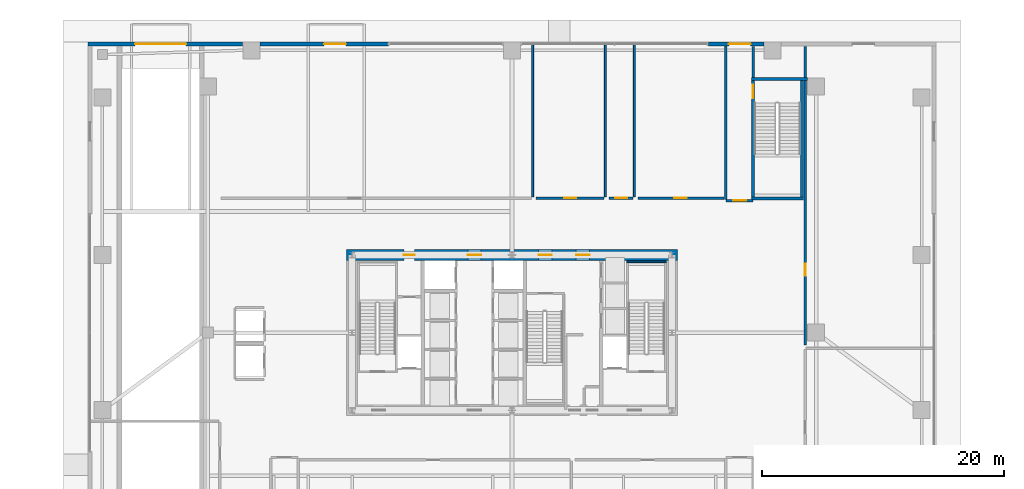
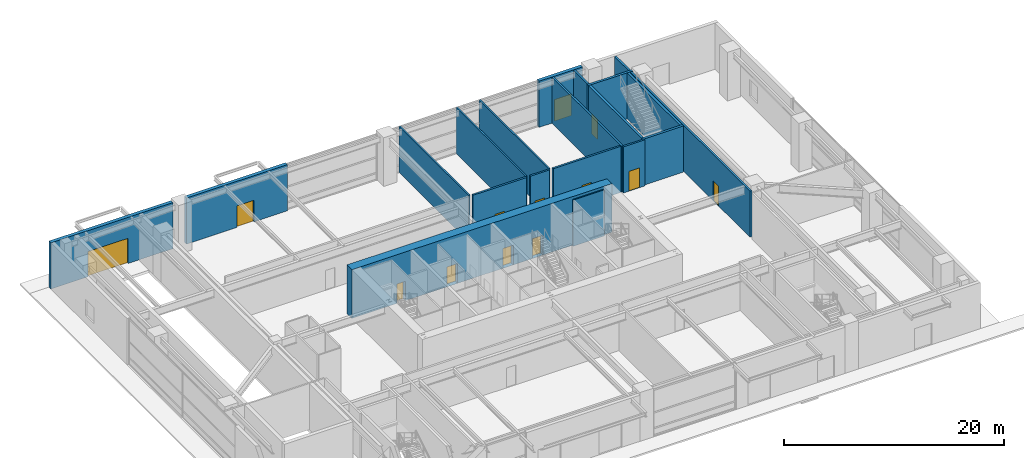
# One storey, part 27 of 32: 19 walls, 13 doors, 13 openings.
"""IFC4 building model written with IfcOpenShell, lengths in metres."""

import ifcopenshell
import ifcopenshell.guid

model = None  # the IFC model being written
_history = None  # IfcOwnerHistory: only IFC2X3 demands one
_inside = {}  # id of a spatial element -> (the spatial element, [elements in it])
_under = {}  # id of a project, library or spatial element -> (it, [spatial elements below it])
_declared = {}  # id of a project -> (the project, [libraries it declares])
_typed = {}  # id of a type object -> (the type object, [elements of that type])
_made_of = {}  # id of a material, layer set ... -> (it, [elements and type objects made of it])


def new_model(schema):
    """Start an empty IFC model of exactly this schema.

    Asked for "IFC4X3", IfcOpenShell would pick the latest addendum, in which some entities
    have other attributes; the version numbers below select the first issue.
    IFC2X3 requires an IfcOwnerHistory on every rooted entity: one is made here for all.
    """
    global model, _history
    if schema == "IFC4X3":
        model = ifcopenshell.file(schema_version=(4, 3, 0, 0))
    else:
        model = ifcopenshell.file(schema=schema)
    _inside.clear()
    _under.clear()
    _declared.clear()
    _typed.clear()
    _made_of.clear()
    _history = None
    if model.schema == "IFC2X3":
        org = make("IfcOrganization", Name="unknown")
        user = make(
            "IfcPersonAndOrganization",
            ThePerson=make("IfcPerson", FamilyName="unknown"),
            TheOrganization=org,
        )
        app = make(
            "IfcApplication",
            ApplicationDeveloper=org,
            Version="unknown",
            ApplicationFullName="unknown",
            ApplicationIdentifier="unknown",
        )
        _history = make(
            "IfcOwnerHistory",
            OwningUser=user,
            OwningApplication=app,
            ChangeAction="ADDED",
            CreationDate=0,
        )
    return model


def make(cls, **values):
    """One entity of the class cls with the attributes given. An attribute that is None is left unset."""
    return model.create_entity(
        cls, **{name: value for name, value in values.items() if value is not None}
    )


def rooted(cls, **values):
    """An entity with a GlobalId (a new one), such as an element, a storey or a relation."""
    return make(cls, GlobalId=ifcopenshell.guid.new(), OwnerHistory=_history, **values)


def si_unit(unit_type, name, prefix=None):
    """IfcSIUnit, for example si_unit("LENGTHUNIT", "METRE", prefix="MILLI")."""
    return make("IfcSIUnit", UnitType=unit_type, Prefix=prefix, Name=name)


def assignment(units):
    """IfcUnitAssignment: the units of a project."""
    return None if units is None else make("IfcUnitAssignment", Units=units)


def point(xyz):
    """IfcCartesianPoint."""
    return None if xyz is None else make("IfcCartesianPoint", Coordinates=xyz)


def direction(xyz):
    """IfcDirection."""
    return None if xyz is None else make("IfcDirection", DirectionRatios=xyz)


def frame(location, z_axis=None, x_axis=None):
    """IfcAxis2Placement3D, a coordinate frame: its origin and axes. An axis left out is left unset."""
    return make(
        "IfcAxis2Placement3D",
        Location=point(location),
        Axis=direction(z_axis),
        RefDirection=direction(x_axis),
    )


def frame_2d(location, x_axis=None):
    """IfcAxis2Placement2D, a coordinate frame in the plane: its origin and x axis."""
    return make(
        "IfcAxis2Placement2D", Location=point(location), RefDirection=direction(x_axis)
    )


def origin():
    """The frame at (0, 0, 0) with its axes left unset."""
    return frame((0.0, 0.0, 0.0))


def place(relative_to, where):
    """IfcLocalPlacement: puts the frame where relative to a parent placement (None: the world)."""
    return make(
        "IfcLocalPlacement", PlacementRelTo=relative_to, RelativePlacement=where
    )


def context(
    kind, dimensions, precision=None, world=None, true_north=None, identifier=None
):
    """IfcGeometricRepresentationContext, for example the 3D "Model" context."""
    return make(
        "IfcGeometricRepresentationContext",
        ContextIdentifier=identifier,
        ContextType=kind,
        CoordinateSpaceDimension=dimensions,
        Precision=precision,
        WorldCoordinateSystem=world,
        TrueNorth=true_north,
    )


def subcontext(parent, identifier, kind, view, scale=None):
    """IfcGeometricRepresentationSubContext, for example "Body" below "Model"."""
    return make(
        "IfcGeometricRepresentationSubContext",
        ContextIdentifier=identifier,
        ContextType=kind,
        ParentContext=parent,
        TargetScale=scale,
        TargetView=view,
    )


def project(units=None, contexts=None):
    """IfcProject with its units and contexts."""
    return rooted(
        "IfcProject",
        Name="project",
        RepresentationContexts=contexts,
        UnitsInContext=assignment(units),
    )


def spatial(cls, under=None, at=None, **own):
    """A site, building, storey or space (cls), placed at a placement, below another one or the project."""
    s = rooted(cls, ObjectPlacement=at, **own)
    if under is not None:
        _under.setdefault(under.id(), (under, []))[1].append(s)
    return s


def profile(cls, at=None, kind="AREA", **sizes):
    """A parametric profile (cls). Its sizes go by their IFC names, for example OverallWidth=200.0."""
    return make(cls, ProfileType=kind, Position=at, **sizes)


def rectangle(**sizes):
    """IfcRectangleProfileDef."""
    return profile("IfcRectangleProfileDef", **sizes)


def extrude(swept, where, along, depth):
    """IfcExtrudedAreaSolid: the profile swept, set in the frame where, extruded along a direction by depth."""
    return make(
        "IfcExtrudedAreaSolid",
        SweptArea=swept,
        Position=where,
        ExtrudedDirection=direction(along),
        Depth=depth,
    )


def shape(context_of_items, identifier, shape_type, items):
    """IfcShapeRepresentation: the items that make up one representation, for example the "Body"."""
    return make(
        "IfcShapeRepresentation",
        ContextOfItems=context_of_items,
        RepresentationIdentifier=identifier,
        RepresentationType=shape_type,
        Items=items,
    )


def source(mapping_origin, context_of_items, identifier, shape_type, items):
    """IfcRepresentationMap: a shape defined once, which mapped items show again and again."""
    return make(
        "IfcRepresentationMap",
        MappingOrigin=mapping_origin,
        MappedRepresentation=shape(context_of_items, identifier, shape_type, items),
    )


def transform(
    local_origin,
    x_axis=None,
    y_axis=None,
    z_axis=None,
    scale=None,
    scale2=None,
    scale3=None,
    uniform=True,
):
    """IfcCartesianTransformationOperator3D, or its non-uniform kind. x_axis, y_axis, z_axis: its Axis1, 2, 3."""
    if uniform:
        return make(
            "IfcCartesianTransformationOperator3D",
            Axis1=direction(x_axis),
            Axis2=direction(y_axis),
            LocalOrigin=point(local_origin),
            Scale=scale,
            Axis3=direction(z_axis),
        )
    return make(
        "IfcCartesianTransformationOperator3DnonUniform",
        Axis1=direction(x_axis),
        Axis2=direction(y_axis),
        LocalOrigin=point(local_origin),
        Scale=scale,
        Axis3=direction(z_axis),
        Scale2=scale2,
        Scale3=scale3,
    )


def mapped(mapping_source, mapping_target):
    """IfcMappedItem: shows the shape of a source again, moved by a transform."""
    return make(
        "IfcMappedItem", MappingSource=mapping_source, MappingTarget=mapping_target
    )


def material(Name=None, Category=None):
    """IfcMaterial."""
    return make("IfcMaterial", Name=Name, Category=Category)


def layer(
    of_material, thickness, ventilated=None, Name=None, Category=None, Priority=None
):
    """IfcMaterialLayer: one layer of a wall or slab, of a material (None: an air gap)."""
    return make(
        "IfcMaterialLayer",
        Material=of_material,
        LayerThickness=thickness,
        IsVentilated=ventilated,
        Name=Name,
        Category=Category,
        Priority=Priority,
    )


def layer_set(layers, Name=None):
    """IfcMaterialLayerSet."""
    return make("IfcMaterialLayerSet", MaterialLayers=layers, LayerSetName=Name)


def made_of(thing, what):
    """Note that an element or type object is made of a material, layer set ...; save() writes the relation."""
    if what is not None:
        _made_of.setdefault(what.id(), (what, []))[1].append(thing)
    return thing


def type_object(cls, material=None, **own):
    """A type object (cls), such as IfcWallType, which elements share."""
    return made_of(rooted(cls, **own), material)


def element(
    cls,
    number,
    at=None,
    inside=None,
    cuts=None,
    type_object=None,
    material=None,
    context=None,
    identifier="Body",
    shape_type=None,
    held_by="IfcProductDefinitionShape",
    body=None,
    shapes=None,
    **own,
):
    """One element of the class cls, such as IfcWall. Its Tag is "e" and its number.

    at: its placement. inside: the storey or other place that contains it. cuts: it is an
    opening in that element (IfcRelVoidsElement). A single representation is given by context,
    identifier, shape_type and body (its items); several are given by shapes. held_by: the class
    of the entity that holds the representations. save() writes the other relations.
    """
    e = rooted(cls, Tag="e%d" % number, ObjectPlacement=at, **own)
    if body is not None:
        shapes = [shape(context, identifier, shape_type, body)]
    if shapes is not None:
        e.Representation = make(held_by, Representations=shapes)
    if inside is not None:
        _inside.setdefault(inside.id(), (inside, []))[1].append(e)
    if cuts is not None:
        rooted(
            "IfcRelVoidsElement", RelatingBuildingElement=cuts, RelatedOpeningElement=e
        )
    if type_object is not None:
        _typed.setdefault(type_object.id(), (type_object, []))[1].append(e)
    return made_of(e, material)


def fill(opening, filler):
    """IfcRelFillsElement: the door or window that sits in an opening."""
    return rooted(
        "IfcRelFillsElement",
        RelatingOpeningElement=opening,
        RelatedBuildingElement=filler,
    )


def aggregate(whole, parts):
    """IfcRelAggregates: a whole, such as a stair, and the parts it consists of."""
    return rooted("IfcRelAggregates", RelatingObject=whole, RelatedObjects=parts)


def save(model, path):
    """Write the relations noted so far, then the file.

    IfcRelAggregates (storeys below a building ...), IfcRelContainedInSpatialStructure (elements
    in a storey), IfcRelDefinesByType, IfcRelAssociatesMaterial and IfcRelDeclares: one each for
    every whole, place, type object, material and project.
    """
    for whole, parts in _under.values():
        aggregate(whole, parts)
    for where, things in _inside.values():
        rooted(
            "IfcRelContainedInSpatialStructure",
            RelatedElements=things,
            RelatingStructure=where,
        )
    for kind, things in _typed.values():
        rooted("IfcRelDefinesByType", RelatedObjects=things, RelatingType=kind)
    for what, things in _made_of.values():
        rooted("IfcRelAssociatesMaterial", RelatedObjects=things, RelatingMaterial=what)
    for by, libraries in _declared.values():
        rooted("IfcRelDeclares", RelatingContext=by, RelatedDefinitions=libraries)
    model.write(path)


model = new_model("IFC4")

# Units and contexts
model_context = context("Model", 3, precision=1e-05, world=origin(), true_north=direction((0.0, 1.0)))
body_context = subcontext(model_context, "Body", "Model", "MODEL_VIEW")
ifc_project = project(units=[si_unit("LENGTHUNIT", "METRE"), si_unit("AREAUNIT", "SQUARE_METRE"), si_unit("VOLUMEUNIT", "CUBIC_METRE"), si_unit("PLANEANGLEUNIT", "RADIAN"), si_unit("MASSUNIT", "GRAM", prefix="KILO"), si_unit("THERMODYNAMICTEMPERATUREUNIT", "KELVIN"), si_unit("POWERUNIT", "WATT")], contexts=[model_context])

# Site, building, storey
site_placement = place(None, origin())
site = spatial("IfcSite", under=ifc_project, at=site_placement, CompositionType="ELEMENT")
building_placement = place(site_placement, origin())
building = spatial("IfcBuilding", under=site, at=building_placement, Name="Yuzanri Waterfront Tower", CompositionType="ELEMENT")
storey_placement = place(building_placement, origin())
storey = spatial("IfcBuildingStorey", under=building, at=storey_placement, Name="L01", CompositionType="ELEMENT", Elevation=0.0)

# Wall, openings, doors
ifc_material_1 = material(Name="Concrete C60", Category="concrete")
ifc_layer_1 = layer(ifc_material_1, 0.89990234375)
ifc_layer_set_1 = layer_set([ifc_layer_1], Name="Concrete C60")
wall_type_1 = type_object("IfcWallType", Name="Concrete C60 Lower Zone Core Shear Wall 900", PredefinedType="SHEAR", material=ifc_layer_set_1)
wall_1_placement = place(storey_placement, frame((23.35009765625, 32.199951171875, 0.0), z_axis=(0.0, 0.0, 1.0), x_axis=(1.0, 0.0, 0.0)))
wall_1 = element("IfcWall", 1, at=wall_1_placement, inside=storey, type_object=wall_type_1, Name="L01 Core North Shear Wall", PredefinedType="SHEAR", context=body_context, shape_type="SweptSolid", body=[
    extrude(rectangle(XDim=27.2998046875, YDim=0.89990234375, at=frame_2d((13.64990234375, 0.0))), origin(), (0.0, 0.0, 1.0), 5.39990234375),
])
opening_1_placement = place(wall_1_placement, frame((4.719970703125, 0.0, 0.0)))
opening_1 = element("IfcOpeningElement", 2, at=opening_1_placement, cuts=wall_1, Name="Opening FD-0900", PredefinedType="OPENING", context=body_context, shape_type="SweptSolid", body=[
    extrude(rectangle(XDim=0.89990234375, YDim=2.14990234375, at=frame_2d((0.449951171875, 1.074951171875))), frame((0.0, 0.46484375, 0.0), z_axis=(0.0, -1.0, 0.0), x_axis=(1.0, 0.0, 0.0)), (0.0, 0.0, 1.0), 0.9296875),
])
opening_2_placement = place(wall_1_placement, frame((10.0, 0.0, 0.0)))
opening_2 = element("IfcOpeningElement", 3, at=opening_2_placement, cuts=wall_1, Name="Opening FD-1100", PredefinedType="OPENING", context=body_context, shape_type="SweptSolid", body=[
    extrude(rectangle(XDim=1.10009765625, YDim=2.199951171875, at=frame_2d((0.550048828125, 1.10009765625))), frame((0.0, 0.46484375, 0.0), z_axis=(0.0, -1.0, 0.0), x_axis=(1.0, 0.0, 0.0)), (0.0, 0.0, 1.0), 0.9296875),
])
opening_3_placement = place(wall_1_placement, frame((15.85009765625, 0.0, 0.0)))
opening_3 = element("IfcOpeningElement", 4, at=opening_3_placement, cuts=wall_1, Name="Opening FD-1100", PredefinedType="OPENING", context=body_context, shape_type="SweptSolid", body=[
    extrude(rectangle(XDim=1.10009765625, YDim=2.199951171875, at=frame_2d((0.550048828125, 1.10009765625))), frame((0.0, 0.46484375, 0.0), z_axis=(0.0, -1.0, 0.0), x_axis=(1.0, 0.0, 0.0)), (0.0, 0.0, 1.0), 0.9296875),
])
opening_4_placement = place(wall_1_placement, frame((18.949951171875, 0.0, 0.0)))
opening_4 = element("IfcOpeningElement", 5, at=opening_4_placement, cuts=wall_1, Name="Opening FD-1100", PredefinedType="OPENING", context=body_context, shape_type="SweptSolid", body=[
    extrude(rectangle(XDim=1.10009765625, YDim=2.199951171875, at=frame_2d((0.550048828125, 1.10009765625))), frame((0.0, 0.46484375, 0.0), z_axis=(0.0, -1.0, 0.0), x_axis=(1.0, 0.0, 0.0)), (0.0, 0.0, 1.0), 0.9296875),
])
ifc_material_2 = material(Name="Painted Galvanized Fire Steel", Category="steel")
door_type_1 = type_object("IfcDoorType", Name="Smoke-Proof Stair and Lobby Fire Door 1100x2200", OperationType="NOTDEFINED", PredefinedType="DOOR", material=ifc_material_2)
shared_shape_1 = source(origin(), body_context, "Body", "SweptSolid", [
    extrude(rectangle(XDim=1.10009765625, YDim=2.199951171875, at=frame_2d((0.550048828125, 1.10009765625))), frame((0.0, 0.02490234375, 0.0), z_axis=(0.0, -1.0, 0.0), x_axis=(1.0, 0.0, 0.0)), (0.0, 0.0, 1.0), 0.050048828125),
])
door_1_placement = place(opening_2_placement, origin())
door_1 = element("IfcDoor", 6, at=door_1_placement, inside=storey, type_object=door_type_1, Name="L01 Central Lift Lobby North Door", OperationType="SINGLE_SWING_LEFT", OverallHeight=2.199951171875, OverallWidth=1.10009765625, PredefinedType="DOOR", context=body_context, shape_type="MappedRepresentation", body=[
    mapped(shared_shape_1, transform((0.0, 0.0, 0.0), scale=1.0)),
])
fill(opening_2, door_1)
door_2_placement = place(opening_3_placement, origin())
door_2 = element("IfcDoor", 7, at=door_2_placement, inside=storey, type_object=door_type_1, Name="L01 North Stair Lobby Door", OperationType="SINGLE_SWING_RIGHT", OverallHeight=2.199951171875, OverallWidth=1.10009765625, PredefinedType="DOOR", context=body_context, shape_type="MappedRepresentation", body=[
    mapped(shared_shape_1, transform((0.0, 0.0, 0.0), scale=1.0)),
])
fill(opening_3, door_2)
door_3_placement = place(opening_4_placement, origin())
door_3 = element("IfcDoor", 8, at=door_3_placement, inside=storey, type_object=door_type_1, Name="L01 High-Rise Lift Lobby North Door", OperationType="SINGLE_SWING_LEFT", OverallHeight=2.199951171875, OverallWidth=1.10009765625, PredefinedType="DOOR", context=body_context, shape_type="MappedRepresentation", body=[
    mapped(shared_shape_1, transform((0.0, 0.0, 0.0), scale=1.0)),
])
fill(opening_4, door_3)
ifc_material_3 = material(Name="Painted Galvanized Fire Steel", Category="steel")
door_type_2 = type_object("IfcDoorType", Name="Riser and Service Room Fire Door 900x2150", OperationType="NOTDEFINED", PredefinedType="DOOR", material=ifc_material_3)
shared_shape_2 = source(origin(), body_context, "Body", "SweptSolid", [
    extrude(rectangle(XDim=0.89990234375, YDim=2.14990234375, at=frame_2d((0.449951171875, 1.074951171875))), frame((0.0, 0.02490234375, 0.0), z_axis=(0.0, -1.0, 0.0), x_axis=(1.0, 0.0, 0.0)), (0.0, 0.0, 1.0), 0.050048828125),
])
door_4_placement = place(opening_1_placement, origin())
door_4 = element("IfcDoor", 9, at=door_4_placement, inside=storey, type_object=door_type_2, Name="L01 Telecom Riser Door", OperationType="SINGLE_SWING_RIGHT", OverallHeight=2.14990234375, OverallWidth=0.89990234375, PredefinedType="DOOR", context=body_context, shape_type="MappedRepresentation", body=[
    mapped(shared_shape_2, transform((0.0, 0.0, 0.0), scale=1.0)),
])
fill(opening_1, door_4)

# Wall, opening, door
ifc_material_4 = material(Name="Autoclaved Aerated Concrete Blockwork", Category="masonry")
ifc_layer_2 = layer(ifc_material_4, 0.199951171875)
ifc_layer_set_2 = layer_set([ifc_layer_2], Name="Autoclaved Aerated Concrete Blockwork")
wall_type_2 = type_object("IfcWallType", Name="Corridor and Unit Party Fire Wall 200", PredefinedType="PARTITIONING", material=ifc_layer_set_2)
wall_2_placement = place(storey_placement, frame((54.64990234375, 36.699951171875, 0.0), z_axis=(0.0, 0.0, 1.0), x_axis=(1.0, 0.0, 0.0)))
wall_2 = element("IfcWall", 10, at=wall_2_placement, inside=storey, type_object=wall_type_2, Name="L01 Partition EXW-L01-NE", PredefinedType="PARTITIONING", context=body_context, shape_type="SweptSolid", body=[
    extrude(rectangle(XDim=2.25, YDim=0.199951171875, at=frame_2d((1.125, 0.0))), origin(), (0.0, 0.0, 1.0), 5.1201171875),
])
opening_5_placement = place(wall_2_placement, frame((0.60009765625, 0.0, 0.0)))
opening_5 = element("IfcOpeningElement", 11, at=opening_5_placement, cuts=wall_2, Name="Opening FD-1100", PredefinedType="OPENING", context=body_context, shape_type="SweptSolid", body=[
    extrude(rectangle(XDim=1.10009765625, YDim=2.199951171875, at=frame_2d((0.550048828125, 1.10009765625))), frame((0.0, 0.11474609375, 0.0), z_axis=(0.0, -1.0, 0.0), x_axis=(1.0, 0.0, 0.0)), (0.0, 0.0, 1.0), 0.229736328125),
])
door_5_placement = place(opening_5_placement, origin())
door_5 = element("IfcDoor", 12, at=door_5_placement, inside=storey, type_object=door_type_1, Name="L01 North-East Protected Exit Passage Fire Door", OperationType="SINGLE_SWING_LEFT", OverallHeight=2.199951171875, OverallWidth=1.10009765625, PredefinedType="DOOR", context=body_context, shape_type="MappedRepresentation", body=[
    mapped(shared_shape_1, transform((0.0, 0.0, 0.0), scale=1.0)),
])
fill(opening_5, door_5)

wall_3_placement = place(storey_placement, frame((61.199951171875, 24.800048828125, 0.0), z_axis=(0.0, 0.0, 1.0), x_axis=(0.0, 1.0, 0.0)))
wall_3 = element("IfcWall", 13, at=wall_3_placement, inside=storey, type_object=wall_type_2, Name="L01 Partition PRW-L01-030-W", PredefinedType="PARTITIONING", context=body_context, shape_type="SweptSolid", body=[
    extrude(rectangle(XDim=24.619873046875, YDim=0.199951171875, at=frame_2d((12.31005859375, 0.0))), origin(), (0.0, 0.0, 1.0), 5.1201171875),
])
opening_6_placement = place(wall_3_placement, frame((5.699951171875, 0.0, 0.0)))
opening_6 = element("IfcOpeningElement", 14, at=opening_6_placement, cuts=wall_3, Name="Opening FD-1000", PredefinedType="OPENING", context=body_context, shape_type="SweptSolid", body=[
    extrude(rectangle(XDim=1.0, YDim=2.199951171875, at=frame_2d((0.5, 1.10009765625))), frame((0.0, 0.11474609375, 0.0), z_axis=(0.0, -1.0, 0.0), x_axis=(1.0, 0.0, 0.0)), (0.0, 0.0, 1.0), 0.229736328125),
])
ifc_material_5 = material(Name="Engineered Oak Fire-Rated Timber", Category="wood")
door_type_3 = type_object("IfcDoorType", Name="Guestroom and Apartment Entrance Fire Door 1000x2200", OperationType="NOTDEFINED", PredefinedType="DOOR", material=ifc_material_5)
shared_shape_3 = source(origin(), body_context, "Body", "SweptSolid", [
    extrude(rectangle(XDim=1.0, YDim=2.199951171875, at=frame_2d((0.5, 1.10009765625))), frame((0.0, 0.02490234375, 0.0), z_axis=(0.0, -1.0, 0.0), x_axis=(1.0, 0.0, 0.0)), (0.0, 0.0, 1.0), 0.050048828125),
])
door_6_placement = place(opening_6_placement, origin())
door_6 = element("IfcDoor", 15, at=door_6_placement, inside=storey, type_object=door_type_3, Name="L01 Specialty Riverfront Cafe and Patisserie", OperationType="SINGLE_SWING_RIGHT", OverallHeight=2.199951171875, OverallWidth=1.0, PredefinedType="DOOR", context=body_context, shape_type="MappedRepresentation", body=[
    mapped(shared_shape_3, transform((0.0, 0.0, 0.0), scale=1.0)),
])
fill(opening_6, door_6)

wall_4_placement = place(storey_placement, frame((39.0, 36.89990234375, 0.0), z_axis=(0.0, 0.0, 1.0), x_axis=(1.0, 0.0, 0.0)))
wall_4 = element("IfcWall", 16, at=wall_4_placement, inside=storey, type_object=wall_type_2, Name="L01 Partition PRW-L01-032-S", PredefinedType="PARTITIONING", context=body_context, shape_type="SweptSolid", body=[
    extrude(rectangle(XDim=5.60009765625, YDim=0.199951171875, at=frame_2d((2.800048828125, 0.0))), origin(), (0.0, 0.0, 1.0), 5.1201171875),
])
opening_7_placement = place(wall_4_placement, frame((2.300048828125, 0.0, 0.0)))
opening_7 = element("IfcOpeningElement", 17, at=opening_7_placement, cuts=wall_4, Name="Opening FD-1000", PredefinedType="OPENING", context=body_context, shape_type="SweptSolid", body=[
    extrude(rectangle(XDim=1.0, YDim=2.199951171875, at=frame_2d((0.5, 1.10009765625))), frame((0.0, 0.11474609375, 0.0), z_axis=(0.0, -1.0, 0.0), x_axis=(1.0, 0.0, 0.0)), (0.0, 0.0, 1.0), 0.229736328125),
])
door_7_placement = place(opening_7_placement, origin())
door_7 = element("IfcDoor", 18, at=door_7_placement, inside=storey, type_object=door_type_3, Name="L01 Public Restroom", OperationType="SINGLE_SWING_RIGHT", OverallHeight=2.199951171875, OverallWidth=1.0, PredefinedType="DOOR", context=body_context, shape_type="MappedRepresentation", body=[
    mapped(shared_shape_3, transform((0.0, 0.0, 0.0), scale=1.0)),
])
fill(opening_7, door_7)

wall_5_placement = place(storey_placement, frame((45.0, 36.89990234375, 0.0), z_axis=(0.0, 0.0, 1.0), x_axis=(1.0, 0.0, 0.0)))
wall_5 = element("IfcWall", 19, at=wall_5_placement, inside=storey, type_object=wall_type_2, Name="L01 Partition PRW-L01-033-S", PredefinedType="PARTITIONING", context=body_context, shape_type="SweptSolid", body=[
    extrude(rectangle(XDim=2.0, YDim=0.199951171875, at=frame_2d((1.0, 0.0))), origin(), (0.0, 0.0, 1.0), 5.1201171875),
])
opening_8_placement = place(wall_5_placement, frame((0.5, 0.0, 0.0)))
opening_8 = element("IfcOpeningElement", 20, at=opening_8_placement, cuts=wall_5, Name="Opening FD-1000", PredefinedType="OPENING", context=body_context, shape_type="SweptSolid", body=[
    extrude(rectangle(XDim=1.0, YDim=2.199951171875, at=frame_2d((0.5, 1.10009765625))), frame((0.0, 0.11474609375, 0.0), z_axis=(0.0, -1.0, 0.0), x_axis=(1.0, 0.0, 0.0)), (0.0, 0.0, 1.0), 0.229736328125),
])
door_8_placement = place(opening_8_placement, origin())
door_8 = element("IfcDoor", 21, at=door_8_placement, inside=storey, type_object=door_type_3, Name="L01 Accessible WC", OperationType="SINGLE_SWING_LEFT", OverallHeight=2.199951171875, OverallWidth=1.0, PredefinedType="DOOR", context=body_context, shape_type="MappedRepresentation", body=[
    mapped(shared_shape_3, transform((0.0, 0.0, 0.0), scale=1.0)),
])
fill(opening_8, door_8)

wall_6_placement = place(storey_placement, frame((47.39990234375, 36.89990234375, 0.0), z_axis=(0.0, 0.0, 1.0), x_axis=(1.0, 0.0, 0.0)))
wall_6 = element("IfcWall", 22, at=wall_6_placement, inside=storey, type_object=wall_type_2, Name="L01 Partition PRW-L01-034-S", PredefinedType="PARTITIONING", context=body_context, shape_type="SweptSolid", body=[
    extrude(rectangle(XDim=7.10009765625, YDim=0.199951171875, at=frame_2d((3.550048828125, 0.0))), origin(), (0.0, 0.0, 1.0), 5.1201171875),
])
opening_9_placement = place(wall_6_placement, frame((3.0, 0.0, 0.0)))
opening_9 = element("IfcOpeningElement", 23, at=opening_9_placement, cuts=wall_6, Name="Opening FD-1000", PredefinedType="OPENING", context=body_context, shape_type="SweptSolid", body=[
    extrude(rectangle(XDim=1.0, YDim=2.199951171875, at=frame_2d((0.5, 1.10009765625))), frame((0.0, 0.11474609375, 0.0), z_axis=(0.0, -1.0, 0.0), x_axis=(1.0, 0.0, 0.0)), (0.0, 0.0, 1.0), 0.229736328125),
])
door_9_placement = place(opening_9_placement, origin())
door_9 = element("IfcDoor", 24, at=door_9_placement, inside=storey, type_object=door_type_3, Name="L01 Concierge Luggage Store", OperationType="SINGLE_SWING_RIGHT", OverallHeight=2.199951171875, OverallWidth=1.0, PredefinedType="DOOR", context=body_context, shape_type="MappedRepresentation", body=[
    mapped(shared_shape_3, transform((0.0, 0.0, 0.0), scale=1.0)),
])
fill(opening_9, door_9)

ifc_material_6 = material(Name="Honed Chongqing Dark Basalt Stone", Category="masonry")
ifc_layer_3 = layer(ifc_material_6, 0.360107421875)
ifc_layer_set_3 = layer_set([ifc_layer_3], Name="Honed Chongqing Dark Basalt Stone")
wall_type_3 = type_object("IfcWallType", Name="Honed Basalt Stone Masonry-Frame Spandrel Wall 360", PredefinedType="SOLIDWALL", material=ifc_layer_set_3)
wall_7_placement = place(storey_placement, frame((2.0, 49.6201171875, 0.0), z_axis=(0.0, 0.0, 1.0), x_axis=(1.0, 0.0, 0.0)))
wall_7 = element("IfcWall", 25, at=wall_7_placement, inside=storey, type_object=wall_type_3, Name="L01 North-West Basalt Wall", PredefinedType="SOLIDWALL", context=body_context, shape_type="SweptSolid", body=[
    extrude(rectangle(XDim=12.780029296875, YDim=0.360107421875, at=frame_2d((6.39013671875, 0.0))), origin(), (0.0, 0.0, 1.0), 5.1201171875),
])
opening_10_placement = place(wall_7_placement, frame((3.89990234375, 0.0, 0.0)))
opening_10 = element("IfcOpeningElement", 26, at=opening_10_placement, cuts=wall_7, Name="Opening VG-4200", PredefinedType="OPENING", context=body_context, shape_type="SweptSolid", body=[
    extrude(rectangle(XDim=4.199951171875, YDim=2.800048828125, at=frame_2d((2.10009765625, 1.39990234375))), frame((0.0, 0.19482421875, 0.0), z_axis=(0.0, -1.0, 0.0), x_axis=(1.0, 0.0, 0.0)), (0.0, 0.0, 1.0), 0.389892578125),
])
ifc_material_7 = material(Name="Anodized Architectural Bronze", Category="metal")
door_type_4 = type_object("IfcDoorType", Name="Anodized Bronze Insulated Motorised Car-Park Ramp Shutter Gate 4200x2800", OperationType="NOTDEFINED", PredefinedType="GATE", material=ifc_material_7)
shared_shape_4 = source(origin(), body_context, "Body", "SweptSolid", [
    extrude(rectangle(XDim=4.199951171875, YDim=2.800048828125, at=frame_2d((2.10009765625, 1.39990234375))), frame((0.0, 0.02490234375, 0.0), z_axis=(0.0, -1.0, 0.0), x_axis=(1.0, 0.0, 0.0)), (0.0, 0.0, 1.0), 0.050048828125),
])
door_10_placement = place(opening_10_placement, origin())
door_10 = element("IfcDoor", 27, at=door_10_placement, inside=storey, type_object=door_type_4, Name="VG-01 Car-Park Ramp Motorised Shutter Gate", OperationType="ROLLINGUP", OverallHeight=2.800048828125, OverallWidth=4.199951171875, PredefinedType="GATE", context=body_context, shape_type="MappedRepresentation", body=[
    mapped(shared_shape_4, transform((0.0, 0.0, 0.0), scale=1.0)),
])
fill(opening_10, door_10)

wall_8_placement = place(storey_placement, frame((16.219970703125, 49.6201171875, 0.0), z_axis=(0.0, 0.0, 1.0), x_axis=(1.0, 0.0, 0.0)))
wall_8 = element("IfcWall", 28, at=wall_8_placement, inside=storey, type_object=wall_type_3, Name="L01 North Boutique Entrance Portal", PredefinedType="SOLIDWALL", context=body_context, shape_type="SweptSolid", body=[
    extrude(rectangle(XDim=10.580078125, YDim=0.360107421875, at=frame_2d((5.2900390625, 0.0))), origin(), (0.0, 0.0, 1.0), 5.1201171875),
])
opening_11_placement = place(wall_8_placement, frame((5.280029296875, 0.0, 0.0)))
opening_11 = element("IfcOpeningElement", 29, at=opening_11_placement, cuts=wall_8, Name="Opening ED-1800", PredefinedType="OPENING", context=body_context, shape_type="SweptSolid", body=[
    extrude(rectangle(XDim=1.800048828125, YDim=2.39990234375, at=frame_2d((0.89990234375, 1.199951171875))), frame((0.0, 0.19482421875, 0.0), z_axis=(0.0, -1.0, 0.0), x_axis=(1.0, 0.0, 0.0)), (0.0, 0.0, 1.0), 0.389892578125),
])
ifc_material_8 = material(Name="Anodized Architectural Bronze", Category="metal")
door_type_5 = type_object("IfcDoorType", Name="Anodized Bronze Retail Streetfront Glazed Double Entrance Door 1800x2400", OperationType="NOTDEFINED", PredefinedType="DOOR", material=ifc_material_8)
shared_shape_5 = source(origin(), body_context, "Body", "SweptSolid", [
    extrude(rectangle(XDim=1.800048828125, YDim=2.39990234375, at=frame_2d((0.89990234375, 1.199951171875))), frame((0.0, 0.02490234375, 0.0), z_axis=(0.0, -1.0, 0.0), x_axis=(1.0, 0.0, 0.0)), (0.0, 0.0, 1.0), 0.050048828125),
])
door_11_placement = place(opening_11_placement, origin())
door_11 = element("IfcDoor", 30, at=door_11_placement, inside=storey, type_object=door_type_5, Name="L01 North Boutique Street Entrance", OperationType="DOUBLE_DOOR_SINGLE_SWING", OverallHeight=2.39990234375, OverallWidth=1.800048828125, PredefinedType="DOOR", context=body_context, shape_type="MappedRepresentation", body=[
    mapped(shared_shape_5, transform((0.0, 0.0, 0.0), scale=1.0)),
])
fill(opening_11, door_11)

wall_9_placement = place(storey_placement, frame((53.199951171875, 49.6201171875, 0.0), z_axis=(0.0, 0.0, 1.0), x_axis=(1.0, 0.0, 0.0)))
wall_9 = element("IfcWall", 31, at=wall_9_placement, inside=storey, type_object=wall_type_3, Name="L01 NE Stair Discharge Portal", PredefinedType="SOLIDWALL", context=body_context, shape_type="SweptSolid", body=[
    extrude(rectangle(XDim=4.580078125, YDim=0.360107421875, at=frame_2d((2.2900390625, 0.0))), origin(), (0.0, 0.0, 1.0), 5.1201171875),
])
opening_12_placement = place(wall_9_placement, frame((1.699951171875, 0.0, 0.0)))
opening_12 = element("IfcOpeningElement", 32, at=opening_12_placement, cuts=wall_9, Name="Opening ED-1800", PredefinedType="OPENING", context=body_context, shape_type="SweptSolid", body=[
    extrude(rectangle(XDim=1.800048828125, YDim=2.39990234375, at=frame_2d((0.89990234375, 1.199951171875))), frame((0.0, 0.19482421875, 0.0), z_axis=(0.0, -1.0, 0.0), x_axis=(1.0, 0.0, 0.0)), (0.0, 0.0, 1.0), 0.389892578125),
])
door_12_placement = place(opening_12_placement, origin())
door_12 = element("IfcDoor", 33, at=door_12_placement, inside=storey, type_object=door_type_5, Name="L01 NE Stair Street Discharge Door", OperationType="DOUBLE_DOOR_SINGLE_SWING", OverallHeight=2.39990234375, OverallWidth=1.800048828125, PredefinedType="DOOR", context=body_context, shape_type="MappedRepresentation", body=[
    mapped(shared_shape_5, transform((0.0, 0.0, 0.0), scale=1.0)),
])
fill(opening_12, door_12)

ifc_material_9 = material(Name="Concrete C40", Category="concrete")
ifc_layer_4 = layer(ifc_material_9, 0.25)
ifc_layer_set_4 = layer_set([ifc_layer_4], Name="Concrete C40")
wall_type_4 = type_object("IfcWallType", Name="Smoke-Proof Stair and Lift Shaft Wall 250", PredefinedType="SOLIDWALL", material=ifc_layer_set_4)
wall_10_placement = place(storey_placement, frame((56.875, 37.0, 0.0), z_axis=(0.0, 0.0, 1.0), x_axis=(0.0, 1.0, 0.0)))
wall_10 = element("IfcWall", 34, at=wall_10_placement, inside=storey, type_object=wall_type_4, Name="L01 Shaft Wall PSTW-L01-PST-03-W", PredefinedType="SOLIDWALL", context=body_context, shape_type="SweptSolid", body=[
    extrude(rectangle(XDim=9.60009765625, YDim=0.25, at=frame_2d((4.800048828125, 0.0))), origin(), (0.0, 0.0, 1.0), 5.1201171875),
])
opening_13_placement = place(wall_10_placement, frame((8.14990234375, 0.0, 0.0)))
opening_13 = element("IfcOpeningElement", 35, at=opening_13_placement, cuts=wall_10, Name="Opening FD-1100", PredefinedType="OPENING", context=body_context, shape_type="SweptSolid", body=[
    extrude(rectangle(XDim=1.10009765625, YDim=2.199951171875, at=frame_2d((0.550048828125, 1.10009765625))), frame((0.0, 0.139892578125, 0.0), z_axis=(0.0, -1.0, 0.0), x_axis=(1.0, 0.0, 0.0)), (0.0, 0.0, 1.0), 0.27978515625),
])
door_13_placement = place(opening_13_placement, origin())
door_13 = element("IfcDoor", 36, at=door_13_placement, inside=storey, type_object=door_type_1, Name="L01 PST-03 Stair Door", OperationType="SINGLE_SWING_RIGHT", OverallHeight=2.199951171875, OverallWidth=1.10009765625, PredefinedType="DOOR", context=body_context, shape_type="MappedRepresentation", body=[
    mapped(shared_shape_1, transform((0.0, 0.0, 0.0), scale=1.0)),
])
fill(opening_13, door_13)

# Walls
ifc_material_10 = material(Name="Concrete C40", Category="concrete")
ifc_layer_5 = layer(ifc_material_10, 0.139892578125)
ifc_layer_set_5 = layer_set([ifc_layer_5], Name="Concrete C40")
wall_type_5 = type_object("IfcWallType", Name="Core Stair Liner and Hoistway Shaft Wall 140", PredefinedType="SOLIDWALL", material=ifc_layer_set_5)
shared_shape_6 = source(origin(), body_context, "Body", "SweptSolid", [
    extrude(rectangle(XDim=3.280029296875, YDim=0.139892578125, at=frame_2d((1.64013671875, 0.0))), origin(), (0.0, 0.0, 1.0), 5.1201171875),
])
wall_11_placement = place(storey_placement, frame((46.4599609375, 31.64990234375, 0.0), z_axis=(0.0, 0.0, 1.0), x_axis=(1.0, 0.0, 0.0)))
element("IfcWall", 37, at=wall_11_placement, inside=storey, type_object=wall_type_5, Name="L01 Stair ST-02 North Shaft Wall", PredefinedType="SOLIDWALL", context=body_context, shape_type="MappedRepresentation", body=[
    mapped(shared_shape_6, transform((0.0, 0.0, 0.0), scale=1.0)),
])
shared_shape_7 = source(origin(), body_context, "Body", "SweptSolid", [
    extrude(rectangle(XDim=4.300048828125, YDim=0.25, at=frame_2d((2.14990234375, 0.0))), origin(), (0.0, 0.0, 1.0), 5.1201171875),
])
wall_12_placement = place(storey_placement, frame((56.75, 36.875, 0.0), z_axis=(0.0, 0.0, 1.0), x_axis=(1.0, 0.0, 0.0)))
element("IfcWall", 38, at=wall_12_placement, inside=storey, type_object=wall_type_4, Name="L01 PST-03 South Wall", PredefinedType="SOLIDWALL", context=body_context, shape_type="MappedRepresentation", body=[
    mapped(shared_shape_7, transform((0.0, 0.0, 0.0), scale=1.0)),
])
shared_shape_8 = source(origin(), body_context, "Body", "SweptSolid", [
    extrude(rectangle(XDim=9.60009765625, YDim=0.25, at=frame_2d((4.800048828125, 0.0))), origin(), (0.0, 0.0, 1.0), 5.1201171875),
])
wall_13_placement = place(storey_placement, frame((60.925048828125, 37.0, 0.0), z_axis=(0.0, 0.0, 1.0), x_axis=(0.0, 1.0, 0.0)))
element("IfcWall", 39, at=wall_13_placement, inside=storey, type_object=wall_type_4, Name="L01 Shaft Wall PSTW-L01-PST-03-E", PredefinedType="SOLIDWALL", context=body_context, shape_type="MappedRepresentation", body=[
    mapped(shared_shape_8, transform((0.0, 0.0, 0.0), scale=1.0)),
])
shared_shape_9 = source(origin(), body_context, "Body", "SweptSolid", [
    extrude(rectangle(XDim=4.64990234375, YDim=0.25, at=frame_2d((2.324951171875, 0.0))), origin(), (0.0, 0.0, 1.0), 5.1201171875),
])
wall_14_placement = place(storey_placement, frame((56.75, 46.72509765625, 0.0), z_axis=(0.0, 0.0, 1.0), x_axis=(1.0, 0.0, 0.0)))
element("IfcWall", 40, at=wall_14_placement, inside=storey, type_object=wall_type_4, Name="L01 PST-03 North Wall", PredefinedType="SOLIDWALL", context=body_context, shape_type="MappedRepresentation", body=[
    mapped(shared_shape_9, transform((0.0, 0.0, 0.0), scale=1.0)),
])
shared_shape_10 = source(origin(), body_context, "Body", "SweptSolid", [
    extrude(rectangle(XDim=12.820068359375, YDim=0.199951171875, at=frame_2d((6.41015625, 0.0))), origin(), (0.0, 0.0, 1.0), 5.1201171875),
])
wall_15_placement = place(storey_placement, frame((54.64990234375, 36.800048828125, 0.0), z_axis=(0.0, 0.0, 1.0), x_axis=(0.0, 1.0, 0.0)))
element("IfcWall", 41, at=wall_15_placement, inside=storey, type_object=wall_type_2, Name="L01 North-East Exit Passage West Fire Wall", PredefinedType="PARTITIONING", context=body_context, shape_type="MappedRepresentation", body=[
    mapped(shared_shape_10, transform((0.0, 0.0, 0.0), scale=1.0)),
])
shared_shape_11 = source(origin(), body_context, "Body", "SweptSolid", [
    extrude(rectangle(XDim=2.56982421875, YDim=0.199951171875, at=frame_2d((1.284912109375, 0.0))), origin(), (0.0, 0.0, 1.0), 5.1201171875),
])
wall_16_placement = place(storey_placement, frame((56.89990234375, 46.85009765625, 0.0), z_axis=(0.0, 0.0, 1.0), x_axis=(0.0, 1.0, 0.0)))
element("IfcWall", 42, at=wall_16_placement, inside=storey, type_object=wall_type_2, Name="L01 North-East Exit Passage East Fire Wall", PredefinedType="PARTITIONING", context=body_context, shape_type="MappedRepresentation", body=[
    mapped(shared_shape_11, transform((0.0, 0.0, 0.0), scale=1.0)),
])
ifc_material_11 = material(Name="Gypsum Fireboard Acoustic Stud Wall", Category="gypsum")
ifc_layer_6 = layer(ifc_material_11, 0.159912109375)
ifc_layer_set_6 = layer_set([ifc_layer_6], Name="Gypsum Fireboard Acoustic Stud Wall")
wall_type_6 = type_object("IfcWallType", Name="Acoustic Suite Demising Partition 160", PredefinedType="PARTITIONING", material=ifc_layer_set_6)
shared_shape_12 = source(origin(), body_context, "Body", "SweptSolid", [
    extrude(rectangle(XDim=12.6201171875, YDim=0.159912109375, at=frame_2d((6.31005859375, 0.0))), origin(), (0.0, 0.0, 1.0), 5.1201171875),
])
for number, where, z_axis, x_axis, name in (
    (43, (38.699951171875, 37.0, 0.0), (0.0, 0.0, 1.0), (0.0, 1.0, 0.0), "L01-031 Demising Wall"),
    (44, (44.699951171875, 37.0, 0.0), (0.0, 0.0, 1.0), (0.0, 1.0, 0.0), "L01-032 Demising Wall"),
    (45, (47.10009765625, 37.0, 0.0), (0.0, 0.0, 1.0), (0.0, 1.0, 0.0), "L01-033 Demising Wall"),
):
    element("IfcWall", number, at=place(storey_placement, frame(where, z_axis=z_axis, x_axis=x_axis)), inside=storey, type_object=wall_type_6, Name=name, PredefinedType="PARTITIONING", context=body_context, shape_type="MappedRepresentation", body=[
        mapped(shared_shape_12, transform((0.0, 0.0, 0.0), scale=1.0)),
    ])

save(model, "model.ifc")
